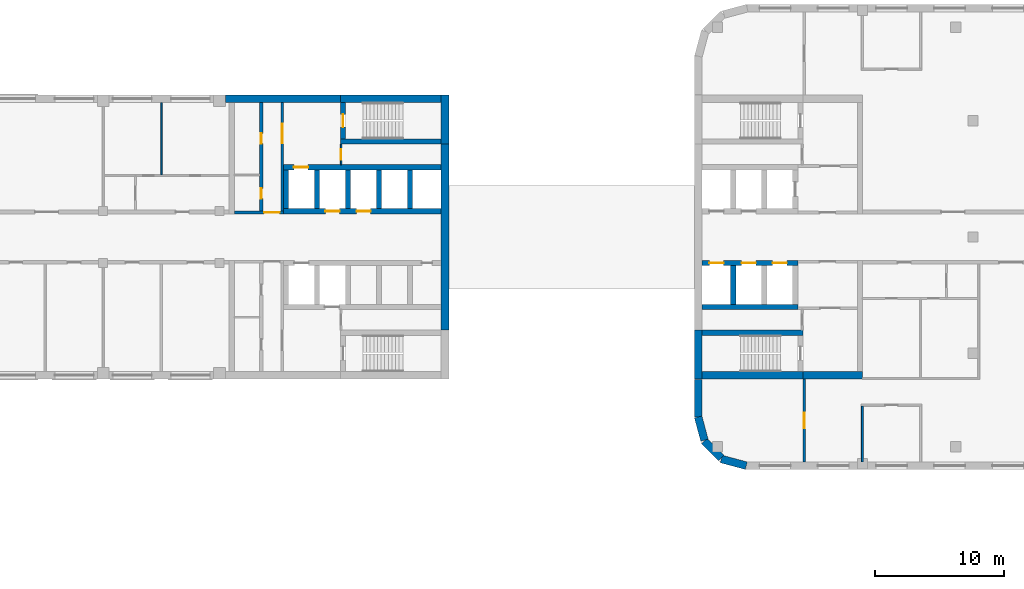
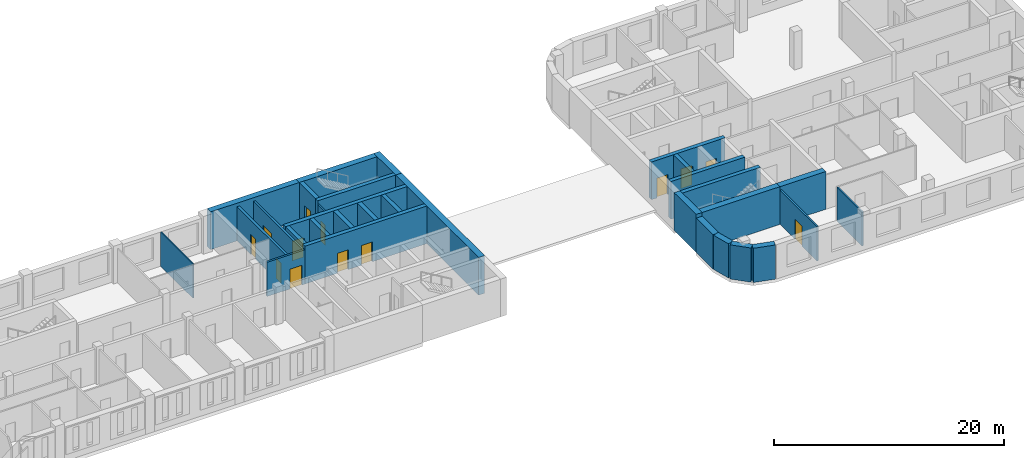
# One storey, part 6 of 12: 31 walls, 13 doors, 13 openings.
"""IFC4 building model written with IfcOpenShell, lengths in metres."""

from ifc_helpers import new_model, si_unit, direction, frame, frame_2d, origin, place, context, subcontext, project, spatial, rectangle, extrude, material, layer, layer_set, type_object, element, fill, save


model = new_model("IFC4")

# Units and contexts
model_context = context("Model", 3, precision=1e-05, world=origin(), true_north=direction((0.0, 1.0)))
body_context = subcontext(model_context, "Body", "Model", "MODEL_VIEW")
ifc_project = project(units=[si_unit("LENGTHUNIT", "METRE"), si_unit("AREAUNIT", "SQUARE_METRE"), si_unit("VOLUMEUNIT", "CUBIC_METRE"), si_unit("PLANEANGLEUNIT", "RADIAN"), si_unit("MASSUNIT", "GRAM", prefix="KILO")], contexts=[model_context])

# Site, building, storey
site_placement = place(None, origin())
site = spatial("IfcSite", under=ifc_project, at=site_placement, CompositionType="ELEMENT")
building_placement = place(site_placement, origin())
building = spatial("IfcBuilding", under=site, at=building_placement, Name="Skarvind Civic Tower", CompositionType="ELEMENT")
storey_placement = place(building_placement, frame((0.0, 0.0, 35.5)))
storey = spatial("IfcBuildingStorey", under=building, at=storey_placement, Name="L07", CompositionType="ELEMENT", Elevation=35.5)

# Wall, opening, door
ifc_material_1 = material(Name="Acoustic gypsum board on steel studs", Category="steel")
ifc_layer_1 = layer(ifc_material_1, 0.175048828125)
ifc_layer_set_1 = layer_set([ifc_layer_1], Name="ACOUSTIC MEETING-ROOM PARTITION 175")
wall_type_1 = type_object("IfcWallType", Name="ACOUSTIC MEETING-ROOM PARTITION 175", PredefinedType="PARTITIONING", material=ifc_layer_set_1)
wall_1_placement = place(storey_placement, frame((135.5, 117.0, 0.0), z_axis=(0.0, 0.0, 1.0), x_axis=(0.0, -1.0, 0.0)))
wall_1 = element("IfcWall", 1, at=wall_1_placement, inside=storey, type_object=wall_type_1, Name="Partition 07.001", PredefinedType="PARTITIONING", context=body_context, shape_type="SweptSolid", body=[
    extrude(rectangle(XDim=6.39990234375, YDim=0.175048828125, at=frame_2d((3.199951171875, 0.0))), origin(), (0.0, 0.0, 1.0), 3.625),
])
opening_1_placement = place(wall_1_placement, frame((2.60009765625, 0.0, 0.0)))
opening_1 = element("IfcOpeningElement", 2, at=opening_1_placement, cuts=wall_1, Name="Opening L07-D111", PredefinedType="OPENING", context=body_context, shape_type="SweptSolid", body=[
    extrude(rectangle(XDim=1.199951171875, YDim=2.10009765625, at=frame_2d((0.60009765625, 1.050048828125))), frame((0.0, 0.097412109375, 0.0), z_axis=(0.0, -1.0, 0.0), x_axis=(1.0, 0.0, 0.0)), (0.0, 0.0, 1.0), 0.195068359375),
])
ifc_material_2 = material(Name="Timber door leaf", Category="wood")
door_type_1 = type_object("IfcDoorType", Name="DOOR 1200X2100 DOUBLE TIMBER", OperationType="NOTDEFINED", PredefinedType="DOOR", material=ifc_material_2)
door_1_placement = place(opening_1_placement, origin())
door_1 = element("IfcDoor", 3, at=door_1_placement, inside=storey, type_object=door_type_1, Name="Door L07-D111", OperationType="DOUBLE_DOOR_SINGLE_SWING", OverallHeight=2.10009765625, OverallWidth=1.199951171875, PredefinedType="DOOR", context=body_context, shape_type="SweptSolid", body=[
    extrude(rectangle(XDim=1.199951171875, YDim=2.10009765625, at=frame_2d((0.60009765625, 1.050048828125))), frame((0.0, 0.02490234375, 0.0), z_axis=(0.0, -1.0, 0.0), x_axis=(1.0, 0.0, 0.0)), (0.0, 0.0, 1.0), 0.050048828125),
])
fill(opening_1, door_1)

ifc_material_3 = material(Name="Fire-rated masonry partition", Category="masonry")
ifc_layer_2 = layer(ifc_material_3, 0.199951171875)
ifc_layer_set_2 = layer_set([ifc_layer_2], Name="Core enclosure wall 200")
wall_type_2 = type_object("IfcWallType", Name="Core enclosure wall 200", PredefinedType="PARTITIONING", material=ifc_layer_set_2)
wall_2_placement = place(storey_placement, frame((91.39990234375, 129.89990234375, 0.0), z_axis=(0.0, 0.0, 1.0), x_axis=(1.0, 0.0, 0.0)))
wall_2 = element("IfcWall", 4, at=wall_2_placement, inside=storey, type_object=wall_type_2, Name="Core wall C1", PredefinedType="PARTITIONING", context=body_context, shape_type="SweptSolid", body=[
    extrude(rectangle(XDim=3.800048828125, YDim=0.199951171875, at=frame_2d((1.89990234375, 0.0))), origin(), (0.0, 0.0, 1.0), 3.625),
])
opening_2_placement = place(wall_2_placement, frame((2.300048828125, 0.0, 0.0)))
opening_2 = element("IfcOpeningElement", 5, at=opening_2_placement, cuts=wall_2, Name="Opening D-L07-C1-11", PredefinedType="OPENING", context=body_context, shape_type="SweptSolid", body=[
    extrude(rectangle(XDim=1.199951171875, YDim=2.10009765625, at=frame_2d((0.60009765625, 1.050048828125))), frame((0.0, 0.10986328125, 0.0), z_axis=(0.0, -1.0, 0.0), x_axis=(1.0, 0.0, 0.0)), (0.0, 0.0, 1.0), 0.219970703125),
])
ifc_material_4 = material(Name="Fire-rated steel door", Category="steel")
door_type_2 = type_object("IfcDoorType", Name="Core lobby door 1200", OperationType="NOTDEFINED", PredefinedType="DOOR", material=ifc_material_4)
door_2_placement = place(opening_2_placement, origin())
door_2 = element("IfcDoor", 6, at=door_2_placement, inside=storey, type_object=door_type_2, Name="Fire door", OperationType="DOUBLE_DOOR_SINGLE_SWING", OverallHeight=2.10009765625, OverallWidth=1.199951171875, PredefinedType="DOOR", context=body_context, shape_type="SweptSolid", body=[
    extrude(rectangle(XDim=1.199951171875, YDim=2.10009765625, at=frame_2d((0.60009765625, 1.050048828125))), frame((0.0, 0.02490234375, 0.0), z_axis=(0.0, -1.0, 0.0), x_axis=(1.0, 0.0, 0.0)), (0.0, 0.0, 1.0), 0.050048828125),
])
fill(opening_2, door_2)

wall_3_placement = place(storey_placement, frame((95.10009765625, 130.0, 0.0), z_axis=(0.0, 0.0, 1.0), x_axis=(0.0, 1.0, 0.0)))
wall_3 = element("IfcWall", 7, at=wall_3_placement, inside=storey, type_object=wall_type_2, Name="Core wall C1", PredefinedType="PARTITIONING", context=body_context, shape_type="SweptSolid", body=[
    extrude(rectangle(XDim=8.39990234375, YDim=0.199951171875, at=frame_2d((4.199951171875, 0.0))), origin(), (0.0, 0.0, 1.0), 3.625),
])
opening_3_placement = place(wall_3_placement, frame((5.25, 0.0, 0.0)))
opening_3 = element("IfcOpeningElement", 8, at=opening_3_placement, cuts=wall_3, Name="Opening D-L07-C1-12", PredefinedType="OPENING", context=body_context, shape_type="SweptSolid", body=[
    extrude(rectangle(XDim=1.5, YDim=2.10009765625, at=frame_2d((0.75, 1.050048828125))), frame((0.0, 0.10986328125, 0.0), z_axis=(0.0, -1.0, 0.0), x_axis=(1.0, 0.0, 0.0)), (0.0, 0.0, 1.0), 0.219970703125),
])
door_type_3 = type_object("IfcDoorType", Name="Fire door 1500", OperationType="NOTDEFINED", PredefinedType="DOOR", material=ifc_material_4)
door_3_placement = place(opening_3_placement, origin())
door_3 = element("IfcDoor", 9, at=door_3_placement, inside=storey, type_object=door_type_3, Name="Fire door", OperationType="DOUBLE_DOOR_SINGLE_SWING", OverallHeight=2.10009765625, OverallWidth=1.5, PredefinedType="DOOR", context=body_context, shape_type="SweptSolid", body=[
    extrude(rectangle(XDim=1.5, YDim=2.10009765625, at=frame_2d((0.75, 1.050048828125))), frame((0.0, 0.02490234375, 0.0), z_axis=(0.0, -1.0, 0.0), x_axis=(1.0, 0.0, 0.0)), (0.0, 0.0, 1.0), 0.050048828125),
])
fill(opening_3, door_3)

# Wall
ifc_material_5 = material(Name="Concrete C80", Category="concrete")
ifc_layer_3 = layer(ifc_material_5, 0.39990234375)
ifc_layer_set_3 = layer_set([ifc_layer_3], Name="Core wall 400 C80")
wall_type_3 = type_object("IfcWallType", Name="Core wall 400 C80", PredefinedType="SHEAR", material=ifc_layer_set_3)
wall_4_placement = place(storey_placement, frame((107.39990234375, 135.39990234375, 0.0), z_axis=(0.0, 0.0, 1.0), x_axis=(-1.0, 0.0, 0.0)))
element("IfcWall", 10, at=wall_4_placement, inside=storey, type_object=wall_type_3, Name="Core wall C1 south stair inner L07", PredefinedType="SHEAR", context=body_context, shape_type="SweptSolid", body=[
    extrude(rectangle(XDim=7.7998046875, YDim=0.39990234375, at=frame_2d((3.89990234375, 0.0))), origin(), (0.0, 0.0, 1.0), 4.0),
])

# Wall, opening, door
wall_5_placement = place(storey_placement, frame((99.800048828125, 138.39990234375, 0.0), z_axis=(0.0, 0.0, 1.0), x_axis=(0.0, -1.0, 0.0)))
wall_5 = element("IfcWall", 11, at=wall_5_placement, inside=storey, type_object=wall_type_3, Name="Core wall C1 south stair end L07", PredefinedType="SHEAR", context=body_context, shape_type="SweptSolid", body=[
    extrude(rectangle(XDim=2.7998046875, YDim=0.39990234375, at=frame_2d((1.39990234375, 0.0))), origin(), (0.0, 0.0, 1.0), 4.0),
])
opening_4_placement = place(wall_5_placement, frame((0.89990234375, 0.0, 0.0)))
opening_4 = element("IfcOpeningElement", 12, at=opening_4_placement, cuts=wall_5, Name="Opening D-L07-C1-13", PredefinedType="OPENING", context=body_context, shape_type="SweptSolid", body=[
    extrude(rectangle(XDim=1.0, YDim=2.10009765625, at=frame_2d((0.5, 1.050048828125))), frame((0.0, 0.2099609375, 0.0), z_axis=(0.0, -1.0, 0.0), x_axis=(1.0, 0.0, 0.0)), (0.0, 0.0, 1.0), 0.419921875),
])
door_type_4 = type_object("IfcDoorType", Name="Fire door 1000", OperationType="NOTDEFINED", PredefinedType="DOOR", material=ifc_material_4)
door_4_placement = place(opening_4_placement, origin())
door_4 = element("IfcDoor", 13, at=door_4_placement, inside=storey, type_object=door_type_4, Name="Fire door", OperationType="SINGLE_SWING_RIGHT", OverallHeight=2.10009765625, OverallWidth=1.0, PredefinedType="DOOR", context=body_context, shape_type="SweptSolid", body=[
    extrude(rectangle(XDim=1.0, YDim=2.10009765625, at=frame_2d((0.5, 1.050048828125))), frame((0.0, 0.02490234375, 0.0), z_axis=(0.0, -1.0, 0.0), x_axis=(1.0, 0.0, 0.0)), (0.0, 0.0, 1.0), 0.050048828125),
])
fill(opening_4, door_4)

# Wall, openings, doors
wall_6_placement = place(storey_placement, frame((107.39990234375, 130.0, 0.0), z_axis=(0.0, 0.0, 1.0), x_axis=(-1.0, 0.0, 0.0)))
wall_6 = element("IfcWall", 14, at=wall_6_placement, inside=storey, type_object=wall_type_3, Name="Core wall C1 south lift row front L07", PredefinedType="SHEAR", context=body_context, shape_type="SweptSolid", body=[
    extrude(rectangle(XDim=12.199951171875, YDim=0.39990234375, at=frame_2d((6.10009765625, 0.0))), origin(), (0.0, 0.0, 1.0), 4.0),
])
opening_5_placement = place(wall_6_placement, frame((5.449951171875, 0.0, 0.0)))
opening_5 = element("IfcOpeningElement", 15, at=opening_5_placement, cuts=wall_6, Name="Opening LD09108", PredefinedType="OPENING", context=body_context, shape_type="SweptSolid", body=[
    extrude(rectangle(XDim=1.10009765625, YDim=2.10009765625, at=frame_2d((0.550048828125, 1.050048828125))), frame((0.0, 0.2099609375, 0.0), z_axis=(0.0, -1.0, 0.0), x_axis=(1.0, 0.0, 0.0)), (0.0, 0.0, 1.0), 0.419921875),
])
opening_6_placement = place(wall_6_placement, frame((7.85009765625, 0.0, 0.0)))
opening_6 = element("IfcOpeningElement", 16, at=opening_6_placement, cuts=wall_6, Name="Opening LD09109", PredefinedType="OPENING", context=body_context, shape_type="SweptSolid", body=[
    extrude(rectangle(XDim=1.10009765625, YDim=2.10009765625, at=frame_2d((0.550048828125, 1.050048828125))), frame((0.0, 0.2099609375, 0.0), z_axis=(0.0, -1.0, 0.0), x_axis=(1.0, 0.0, 0.0)), (0.0, 0.0, 1.0), 0.419921875),
])
ifc_material_6 = material(Name="Stainless steel landing door", Category="steel")
door_type_5 = type_object("IfcDoorType", Name="Lift landing door 1100", OperationType="DOUBLE_DOOR_SLIDING", PredefinedType="DOOR", material=ifc_material_6)
door_5_placement = place(opening_5_placement, origin())
door_5 = element("IfcDoor", 17, at=door_5_placement, inside=storey, type_object=door_type_5, Name="Lift landing door", OperationType="DOUBLE_DOOR_SLIDING", OverallHeight=2.10009765625, OverallWidth=1.10009765625, PredefinedType="DOOR", context=body_context, shape_type="SweptSolid", body=[
    extrude(rectangle(XDim=1.10009765625, YDim=2.10009765625, at=frame_2d((0.550048828125, 1.050048828125))), frame((0.0, 0.02490234375, 0.0), z_axis=(0.0, -1.0, 0.0), x_axis=(1.0, 0.0, 0.0)), (0.0, 0.0, 1.0), 0.050048828125),
])
fill(opening_5, door_5)
door_6_placement = place(opening_6_placement, origin())
door_6 = element("IfcDoor", 18, at=door_6_placement, inside=storey, type_object=door_type_5, Name="Lift landing door", OperationType="DOUBLE_DOOR_SLIDING", OverallHeight=2.10009765625, OverallWidth=1.10009765625, PredefinedType="DOOR", context=body_context, shape_type="SweptSolid", body=[
    extrude(rectangle(XDim=1.10009765625, YDim=2.10009765625, at=frame_2d((0.550048828125, 1.050048828125))), frame((0.0, 0.02490234375, 0.0), z_axis=(0.0, -1.0, 0.0), x_axis=(1.0, 0.0, 0.0)), (0.0, 0.0, 1.0), 0.050048828125),
])
fill(opening_6, door_6)

# Wall, opening, door
wall_7_placement = place(storey_placement, frame((107.39990234375, 133.39990234375, 0.0), z_axis=(0.0, 0.0, 1.0), x_axis=(-1.0, 0.0, 0.0)))
wall_7 = element("IfcWall", 19, at=wall_7_placement, inside=storey, type_object=wall_type_3, Name="Core wall C1 south lift row back L07", PredefinedType="SHEAR", context=body_context, shape_type="SweptSolid", body=[
    extrude(rectangle(XDim=12.199951171875, YDim=0.39990234375, at=frame_2d((6.10009765625, 0.0))), origin(), (0.0, 0.0, 1.0), 4.0),
])
opening_7_placement = place(wall_7_placement, frame((10.300048828125, 0.0, 0.0)))
opening_7 = element("IfcOpeningElement", 20, at=opening_7_placement, cuts=wall_7, Name="Opening LD09110", PredefinedType="OPENING", context=body_context, shape_type="SweptSolid", body=[
    extrude(rectangle(XDim=1.10009765625, YDim=2.10009765625, at=frame_2d((0.550048828125, 1.050048828125))), frame((0.0, 0.2099609375, 0.0), z_axis=(0.0, -1.0, 0.0), x_axis=(1.0, 0.0, 0.0)), (0.0, 0.0, 1.0), 0.419921875),
])
door_7_placement = place(opening_7_placement, origin())
door_7 = element("IfcDoor", 21, at=door_7_placement, inside=storey, type_object=door_type_5, Name="Lift landing door", OperationType="DOUBLE_DOOR_SLIDING", OverallHeight=2.10009765625, OverallWidth=1.10009765625, PredefinedType="DOOR", context=body_context, shape_type="SweptSolid", body=[
    extrude(rectangle(XDim=1.10009765625, YDim=2.10009765625, at=frame_2d((0.550048828125, 1.050048828125))), frame((0.0, 0.02490234375, 0.0), z_axis=(0.0, -1.0, 0.0), x_axis=(1.0, 0.0, 0.0)), (0.0, 0.0, 1.0), 0.050048828125),
])
fill(opening_7, door_7)

# Walls
for number, where, z_axis, x_axis, name in (
    (22, (105.0, 133.199951171875, 0.0), (0.0, 0.0, 1.0), (0.0, -1.0, 0.0), "Core wall C1 south lift row division 1 L07"),
    (23, (102.60009765625, 133.199951171875, 0.0), (0.0, 0.0, 1.0), (0.0, -1.0, 0.0), "Core wall C1 south lift row division 2 L07"),
    (24, (100.199951171875, 133.199951171875, 0.0), (0.0, 0.0, 1.0), (0.0, -1.0, 0.0), "Core wall C1 south lift row division 3 L07"),
    (25, (97.800048828125, 133.199951171875, 0.0), (0.0, 0.0, 1.0), (0.0, -1.0, 0.0), "Core wall C1 south lift row division 4 L07"),
    (26, (95.39990234375, 133.199951171875, 0.0), (0.0, 0.0, 1.0), (0.0, -1.0, 0.0), "Core wall C1 south lift row division 5 L07"),
):
    element("IfcWall", number, at=place(storey_placement, frame(where, z_axis=z_axis, x_axis=x_axis)), inside=storey, type_object=wall_type_3, Name=name, PredefinedType="SHEAR", context=body_context, shape_type="SweptSolid", body=[
        extrude(rectangle(XDim=3.0, YDim=0.39990234375, at=frame_2d((1.5, 0.0))), origin(), (0.0, 0.0, 1.0), 4.0),
    ])
wall_8_placement = place(storey_placement, frame((127.60009765625, 120.60009765625, 0.0), z_axis=(0.0, 0.0, 1.0), x_axis=(1.0, 0.0, 0.0)))
element("IfcWall", 27, at=wall_8_placement, inside=storey, type_object=wall_type_3, Name="Core wall CA south stair inner L07", PredefinedType="SHEAR", context=body_context, shape_type="SweptSolid", body=[
    extrude(rectangle(XDim=7.7998046875, YDim=0.39990234375, at=frame_2d((3.89990234375, 0.0))), origin(), (0.0, 0.0, 1.0), 4.0),
])

# Wall, openings, doors
wall_9_placement = place(storey_placement, frame((127.60009765625, 126.0, 0.0), z_axis=(0.0, 0.0, 1.0), x_axis=(1.0, 0.0, 0.0)))
wall_9 = element("IfcWall", 28, at=wall_9_placement, inside=storey, type_object=wall_type_3, Name="Core wall CA south lift row front L07", PredefinedType="SHEAR", context=body_context, shape_type="SweptSolid", body=[
    extrude(rectangle(XDim=7.39990234375, YDim=0.39990234375, at=frame_2d((3.699951171875, 0.0))), origin(), (0.0, 0.0, 1.0), 4.0),
])
opening_8_placement = place(wall_9_placement, frame((0.550048828125, 0.0, 0.0)))
opening_8 = element("IfcOpeningElement", 29, at=opening_8_placement, cuts=wall_9, Name="Opening LD09304", PredefinedType="OPENING", context=body_context, shape_type="SweptSolid", body=[
    extrude(rectangle(XDim=1.10009765625, YDim=2.10009765625, at=frame_2d((0.550048828125, 1.050048828125))), frame((0.0, 0.2099609375, 0.0), z_axis=(0.0, -1.0, 0.0), x_axis=(1.0, 0.0, 0.0)), (0.0, 0.0, 1.0), 0.419921875),
])
opening_9_placement = place(wall_9_placement, frame((3.050048828125, 0.0, 0.0)))
opening_9 = element("IfcOpeningElement", 30, at=opening_9_placement, cuts=wall_9, Name="Opening LD09305", PredefinedType="OPENING", context=body_context, shape_type="SweptSolid", body=[
    extrude(rectangle(XDim=1.10009765625, YDim=2.10009765625, at=frame_2d((0.550048828125, 1.050048828125))), frame((0.0, 0.2099609375, 0.0), z_axis=(0.0, -1.0, 0.0), x_axis=(1.0, 0.0, 0.0)), (0.0, 0.0, 1.0), 0.419921875),
])
opening_10_placement = place(wall_9_placement, frame((5.449951171875, 0.0, 0.0)))
opening_10 = element("IfcOpeningElement", 31, at=opening_10_placement, cuts=wall_9, Name="Opening LD09306", PredefinedType="OPENING", context=body_context, shape_type="SweptSolid", body=[
    extrude(rectangle(XDim=1.10009765625, YDim=2.10009765625, at=frame_2d((0.550048828125, 1.050048828125))), frame((0.0, 0.2099609375, 0.0), z_axis=(0.0, -1.0, 0.0), x_axis=(1.0, 0.0, 0.0)), (0.0, 0.0, 1.0), 0.419921875),
])
door_8_placement = place(opening_8_placement, origin())
door_8 = element("IfcDoor", 32, at=door_8_placement, inside=storey, type_object=door_type_5, Name="Lift landing door", OperationType="DOUBLE_DOOR_SLIDING", OverallHeight=2.10009765625, OverallWidth=1.10009765625, PredefinedType="DOOR", context=body_context, shape_type="SweptSolid", body=[
    extrude(rectangle(XDim=1.10009765625, YDim=2.10009765625, at=frame_2d((0.550048828125, 1.050048828125))), frame((0.0, 0.02490234375, 0.0), z_axis=(0.0, -1.0, 0.0), x_axis=(1.0, 0.0, 0.0)), (0.0, 0.0, 1.0), 0.050048828125),
])
fill(opening_8, door_8)
door_9_placement = place(opening_9_placement, origin())
door_9 = element("IfcDoor", 33, at=door_9_placement, inside=storey, type_object=door_type_5, Name="Lift landing door", OperationType="DOUBLE_DOOR_SLIDING", OverallHeight=2.10009765625, OverallWidth=1.10009765625, PredefinedType="DOOR", context=body_context, shape_type="SweptSolid", body=[
    extrude(rectangle(XDim=1.10009765625, YDim=2.10009765625, at=frame_2d((0.550048828125, 1.050048828125))), frame((0.0, 0.02490234375, 0.0), z_axis=(0.0, -1.0, 0.0), x_axis=(1.0, 0.0, 0.0)), (0.0, 0.0, 1.0), 0.050048828125),
])
fill(opening_9, door_9)
door_10_placement = place(opening_10_placement, origin())
door_10 = element("IfcDoor", 34, at=door_10_placement, inside=storey, type_object=door_type_5, Name="Lift landing door", OperationType="DOUBLE_DOOR_SLIDING", OverallHeight=2.10009765625, OverallWidth=1.10009765625, PredefinedType="DOOR", context=body_context, shape_type="SweptSolid", body=[
    extrude(rectangle(XDim=1.10009765625, YDim=2.10009765625, at=frame_2d((0.550048828125, 1.050048828125))), frame((0.0, 0.02490234375, 0.0), z_axis=(0.0, -1.0, 0.0), x_axis=(1.0, 0.0, 0.0)), (0.0, 0.0, 1.0), 0.050048828125),
])
fill(opening_10, door_10)

# Walls
wall_10_placement = place(storey_placement, frame((127.60009765625, 122.60009765625, 0.0), z_axis=(0.0, 0.0, 1.0), x_axis=(1.0, 0.0, 0.0)))
element("IfcWall", 35, at=wall_10_placement, inside=storey, type_object=wall_type_3, Name="Core wall CA south lift row back L07", PredefinedType="SHEAR", context=body_context, shape_type="SweptSolid", body=[
    extrude(rectangle(XDim=7.39990234375, YDim=0.39990234375, at=frame_2d((3.699951171875, 0.0))), origin(), (0.0, 0.0, 1.0), 4.0),
])
wall_11_placement = place(storey_placement, frame((130.0, 122.800048828125, 0.0), z_axis=(0.0, 0.0, 1.0), x_axis=(0.0, 1.0, 0.0)))
element("IfcWall", 36, at=wall_11_placement, inside=storey, type_object=wall_type_3, Name="Core wall CA south lift row division 1 L07", PredefinedType="SHEAR", context=body_context, shape_type="SweptSolid", body=[
    extrude(rectangle(XDim=3.0, YDim=0.39990234375, at=frame_2d((1.5, 0.0))), origin(), (0.0, 0.0, 1.0), 4.0),
])
ifc_layer_4 = layer(ifc_material_5, 0.60009765625)
ifc_layer_set_4 = layer_set([ifc_layer_4], Name="Core wall 600 C80")
wall_type_4 = type_object("IfcWallType", Name="Core wall 600 C80", PredefinedType="SHEAR", material=ifc_layer_set_4)
wall_12_placement = place(storey_placement, frame((107.699951171875, 139.0, 0.0), z_axis=(0.0, 0.0, 1.0), x_axis=(0.0, -1.0, 0.0)))
element("IfcWall", 37, at=wall_12_placement, inside=storey, type_object=wall_type_4, Name="Core wall C1 tip at the south stair L07", PredefinedType="SHEAR", context=body_context, shape_type="SweptSolid", body=[
    extrude(rectangle(XDim=3.800048828125, YDim=0.60009765625, at=frame_2d((1.89990234375, 0.0))), origin(), (0.0, 0.0, 1.0), 4.0),
])
wall_13_placement = place(storey_placement, frame((107.699951171875, 135.199951171875, 0.0), z_axis=(0.0, 0.0, 1.0), x_axis=(0.0, -1.0, 0.0)))
element("IfcWall", 38, at=wall_13_placement, inside=storey, type_object=wall_type_4, Name="Core wall C1 tip between the stairs L07", PredefinedType="SHEAR", context=body_context, shape_type="SweptSolid", body=[
    extrude(rectangle(XDim=14.39990234375, YDim=0.60009765625, at=frame_2d((7.199951171875, 0.0))), origin(), (0.0, 0.0, 1.0), 4.0),
])
wall_14_placement = place(storey_placement, frame((107.39990234375, 138.699951171875, 0.0), z_axis=(0.0, 0.0, 1.0), x_axis=(-1.0, 0.0, 0.0)))
element("IfcWall", 39, at=wall_14_placement, inside=storey, type_object=wall_type_4, Name="Core wall C1 south side at the stair L07", PredefinedType="SHEAR", context=body_context, shape_type="SweptSolid", body=[
    extrude(rectangle(XDim=7.7998046875, YDim=0.60009765625, at=frame_2d((3.89990234375, 0.0))), origin(), (0.0, 0.0, 1.0), 4.0),
])
wall_15_placement = place(storey_placement, frame((99.60009765625, 138.699951171875, 0.0), z_axis=(0.0, 0.0, 1.0), x_axis=(-1.0, 0.0, 0.0)))
element("IfcWall", 40, at=wall_15_placement, inside=storey, type_object=wall_type_4, Name="Core wall C1 south side L07", PredefinedType="SHEAR", context=body_context, shape_type="SweptSolid", body=[
    extrude(rectangle(XDim=8.900146484375, YDim=0.60009765625, at=frame_2d((4.4501953125, 0.0))), origin(), (0.0, 0.0, 1.0), 4.0),
])
wall_16_placement = place(storey_placement, frame((127.300048828125, 117.0, 0.0), z_axis=(0.0, 0.0, 1.0), x_axis=(0.0, 1.0, 0.0)))
element("IfcWall", 41, at=wall_16_placement, inside=storey, type_object=wall_type_4, Name="Core wall CA tip at the south stair L07", PredefinedType="SHEAR", context=body_context, shape_type="SweptSolid", body=[
    extrude(rectangle(XDim=3.800048828125, YDim=0.60009765625, at=frame_2d((1.89990234375, 0.0))), origin(), (0.0, 0.0, 1.0), 4.0),
])
wall_17_placement = place(storey_placement, frame((127.60009765625, 117.300048828125, 0.0), z_axis=(0.0, 0.0, 1.0), x_axis=(1.0, 0.0, 0.0)))
element("IfcWall", 42, at=wall_17_placement, inside=storey, type_object=wall_type_4, Name="Core wall CA south side at the stair L07", PredefinedType="SHEAR", context=body_context, shape_type="SweptSolid", body=[
    extrude(rectangle(XDim=7.7998046875, YDim=0.60009765625, at=frame_2d((3.89990234375, 0.0))), origin(), (0.0, 0.0, 1.0), 4.0),
])
wall_18_placement = place(storey_placement, frame((135.39990234375, 117.300048828125, 0.0), z_axis=(0.0, 0.0, 1.0), x_axis=(1.0, 0.0, 0.0)))
element("IfcWall", 43, at=wall_18_placement, inside=storey, type_object=wall_type_4, Name="Core wall CA south side L07", PredefinedType="SHEAR", context=body_context, shape_type="SweptSolid", body=[
    extrude(rectangle(XDim=4.60009765625, YDim=0.60009765625, at=frame_2d((2.300048828125, 0.0))), origin(), (0.0, 0.0, 1.0), 4.0),
])
ifc_material_7 = material(Name="Plasterboard partition on steel studs", Category="steel")
ifc_layer_5 = layer(ifc_material_7, 0.14990234375)
ifc_layer_set_5 = layer_set([ifc_layer_5], Name="PARTITION 150")
wall_type_5 = type_object("IfcWallType", Name="PARTITION 150", PredefinedType="PARTITIONING", material=ifc_layer_set_5)
wall_19_placement = place(storey_placement, frame((140.0, 110.60009765625, 0.0), z_axis=(0.0, 0.0, 1.0), x_axis=(0.0, 1.0, 0.0)))
element("IfcWall", 44, at=wall_19_placement, inside=storey, type_object=wall_type_5, Name="Partition 07.003", PredefinedType="PARTITIONING", context=body_context, shape_type="SweptSolid", body=[
    extrude(rectangle(XDim=4.324951171875, YDim=0.14990234375, at=frame_2d((2.16259765625, 0.0))), origin(), (0.0, 0.0, 1.0), 3.625),
])

# Wall, opening, door
ifc_layer_6 = layer(ifc_material_3, 0.125)
ifc_layer_set_6 = layer_set([ifc_layer_6], Name="Riser wall 125")
wall_type_6 = type_object("IfcWallType", Name="Riser wall 125", PredefinedType="PARTITIONING", material=ifc_layer_set_6)
wall_20_placement = place(storey_placement, frame((99.66259765625, 133.60009765625, 0.0), z_axis=(0.0, 0.0, 1.0), x_axis=(0.0, 1.0, 0.0)))
wall_20 = element("IfcWall", 45, at=wall_20_placement, inside=storey, type_object=wall_type_6, Name="Core wall C1", PredefinedType="PARTITIONING", context=body_context, shape_type="SweptSolid", body=[
    extrude(rectangle(XDim=1.599853515625, YDim=0.125, at=frame_2d((0.7998046875, 0.0))), origin(), (0.0, 0.0, 1.0), 3.625),
])
opening_11_placement = place(wall_20_placement, frame((0.39990234375, 0.0, 0.0)))
opening_11 = element("IfcOpeningElement", 46, at=opening_11_placement, cuts=wall_20, Name="Opening D-L07-C1-14", PredefinedType="OPENING", context=body_context, shape_type="SweptSolid", body=[
    extrude(rectangle(XDim=0.800048828125, YDim=2.10009765625, at=frame_2d((0.39990234375, 1.050048828125))), frame((0.0, 0.072509765625, 0.0), z_axis=(0.0, -1.0, 0.0), x_axis=(1.0, 0.0, 0.0)), (0.0, 0.0, 1.0), 0.14501953125),
])
door_type_6 = type_object("IfcDoorType", Name="Core riser door 800", OperationType="NOTDEFINED", PredefinedType="DOOR", material=ifc_material_4)
door_11_placement = place(opening_11_placement, origin())
door_11 = element("IfcDoor", 47, at=door_11_placement, inside=storey, type_object=door_type_6, Name="Riser door", OperationType="SINGLE_SWING_LEFT", OverallHeight=2.10009765625, OverallWidth=0.800048828125, PredefinedType="DOOR", context=body_context, shape_type="SweptSolid", body=[
    extrude(rectangle(XDim=0.800048828125, YDim=2.10009765625, at=frame_2d((0.39990234375, 1.050048828125))), frame((0.0, 0.02490234375, 0.0), z_axis=(0.0, -1.0, 0.0), x_axis=(1.0, 0.0, 0.0)), (0.0, 0.0, 1.0), 0.050048828125),
])
fill(opening_11, door_11)

# Wall, openings, doors
ifc_layer_7 = layer(ifc_material_3, 0.25)
ifc_layer_set_7 = layer_set([ifc_layer_7], Name="Service block wall 250")
wall_type_7 = type_object("IfcWallType", Name="Service block wall 250", PredefinedType="PARTITIONING", material=ifc_layer_set_7)
wall_21_placement = place(storey_placement, frame((93.47509765625, 130.0, 0.0), z_axis=(0.0, 0.0, 1.0), x_axis=(0.0, 1.0, 0.0)))
wall_21 = element("IfcWall", 48, at=wall_21_placement, inside=storey, type_object=wall_type_7, Name="Core wall C1", PredefinedType="PARTITIONING", context=body_context, shape_type="SweptSolid", body=[
    extrude(rectangle(XDim=8.39990234375, YDim=0.25, at=frame_2d((4.199951171875, 0.0))), origin(), (0.0, 0.0, 1.0), 3.625),
])
opening_12_placement = place(wall_21_placement, frame((0.97509765625, 0.0, 0.0)))
opening_12 = element("IfcOpeningElement", 49, at=opening_12_placement, cuts=wall_21, Name="Opening D-L07-C1-15", PredefinedType="OPENING", context=body_context, shape_type="SweptSolid", body=[
    extrude(rectangle(XDim=0.800048828125, YDim=2.10009765625, at=frame_2d((0.39990234375, 1.050048828125))), frame((0.0, 0.135009765625, 0.0), z_axis=(0.0, -1.0, 0.0), x_axis=(1.0, 0.0, 0.0)), (0.0, 0.0, 1.0), 0.27001953125),
])
opening_13_placement = place(wall_21_placement, frame((5.22509765625, 0.0, 0.0)))
opening_13 = element("IfcOpeningElement", 50, at=opening_13_placement, cuts=wall_21, Name="Opening D-L07-C1-16", PredefinedType="OPENING", context=body_context, shape_type="SweptSolid", body=[
    extrude(rectangle(XDim=0.800048828125, YDim=2.10009765625, at=frame_2d((0.39990234375, 1.050048828125))), frame((0.0, 0.135009765625, 0.0), z_axis=(0.0, -1.0, 0.0), x_axis=(1.0, 0.0, 0.0)), (0.0, 0.0, 1.0), 0.27001953125),
])
door_12_placement = place(opening_12_placement, origin())
door_12 = element("IfcDoor", 51, at=door_12_placement, inside=storey, type_object=door_type_6, Name="Riser door", OperationType="SINGLE_SWING_RIGHT", OverallHeight=2.10009765625, OverallWidth=0.800048828125, PredefinedType="DOOR", context=body_context, shape_type="SweptSolid", body=[
    extrude(rectangle(XDim=0.800048828125, YDim=2.10009765625, at=frame_2d((0.39990234375, 1.050048828125))), frame((0.0, 0.02490234375, 0.0), z_axis=(0.0, -1.0, 0.0), x_axis=(1.0, 0.0, 0.0)), (0.0, 0.0, 1.0), 0.050048828125),
])
fill(opening_12, door_12)
door_13_placement = place(opening_13_placement, origin())
door_13 = element("IfcDoor", 52, at=door_13_placement, inside=storey, type_object=door_type_6, Name="Riser door", OperationType="SINGLE_SWING_LEFT", OverallHeight=2.10009765625, OverallWidth=0.800048828125, PredefinedType="DOOR", context=body_context, shape_type="SweptSolid", body=[
    extrude(rectangle(XDim=0.800048828125, YDim=2.10009765625, at=frame_2d((0.39990234375, 1.050048828125))), frame((0.0, 0.02490234375, 0.0), z_axis=(0.0, -1.0, 0.0), x_axis=(1.0, 0.0, 0.0)), (0.0, 0.0, 1.0), 0.050048828125),
])
fill(opening_13, door_13)

# Walls
ifc_material_8 = material(Name="Moisture-resistant gypsum board on steel studs", Category="steel")
ifc_layer_8 = layer(ifc_material_8, 0.125)
ifc_layer_set_8 = layer_set([ifc_layer_8], Name="WC PARTITION 125")
wall_type_8 = type_object("IfcWallType", Name="WC PARTITION 125", PredefinedType="PARTITIONING", material=ifc_layer_set_8)
wall_22_placement = place(storey_placement, frame((85.75, 138.39990234375, 0.0), z_axis=(0.0, 0.0, 1.0), x_axis=(0.0, -1.0, 0.0)))
element("IfcWall", 53, at=wall_22_placement, inside=storey, type_object=wall_type_8, Name="Partition 07.030", PredefinedType="PARTITIONING", context=body_context, shape_type="SweptSolid", body=[
    extrude(rectangle(XDim=5.587890625, YDim=0.125, at=frame_2d((2.7939453125, 0.0))), origin(), (0.0, 0.0, 1.0), 3.625),
])
ifc_material_9 = material(Name="Limestone masonry cladding on insulated backing", Category="masonry")
ifc_layer_9 = layer(ifc_material_9, 0.60009765625)
ifc_layer_set_9 = layer_set([ifc_layer_9], Name="WX1 STONE FACADE WALL 600")
wall_type_9 = type_object("IfcWallType", Name="WX1 STONE FACADE WALL 600", PredefinedType="SOLIDWALL", material=ifc_layer_set_9)
wall_23_placement = place(storey_placement, frame((127.300048828125, 114.070068359375, 0.0), z_axis=(0.0, 0.0, 1.0), x_axis=(0.0, 1.0, 0.0)))
element("IfcWall", 54, at=wall_23_placement, inside=storey, type_object=wall_type_9, Name="STONE FACADE WALL", PredefinedType="SOLIDWALL", context=body_context, shape_type="SweptSolid", body=[
    extrude(rectangle(XDim=2.909912109375, YDim=0.60009765625, at=frame_2d((1.455078125, 0.0))), origin(), (0.0, 0.0, 1.0), 3.625),
])
for number, where, z_axis, x_axis, name in (
    (55, (127.771240234375, 112.280517578125, 0.0), (0.0, 0.0, 1.0), (-0.258773254036, 0.965938094805, 0.0), "STONE FACADE WALL"),
    (56, (129.063720703125, 110.896484375, 0.0), (0.0, 0.0, 1.0), (-0.707106781187, 0.707106781187, 0.0), "STONE FACADE WALL"),
):
    element("IfcWall", number, at=place(storey_placement, frame(where, z_axis=z_axis, x_axis=x_axis)), inside=storey, type_object=wall_type_9, Name=name, PredefinedType="SOLIDWALL", context=body_context, shape_type="SweptSolid", body=[
        extrude(rectangle(XDim=1.860595703125, YDim=0.60009765625, at=frame_2d((0.93017578125, 0.0))), origin(), (0.0, 0.0, 1.0), 3.625),
    ])
wall_24_placement = place(storey_placement, frame((131.010009765625, 110.307861328125, 0.0), z_axis=(0.0, 0.0, 1.0), x_axis=(-0.965920269068, 0.258839784042, 0.0)))
element("IfcWall", 57, at=wall_24_placement, inside=storey, type_object=wall_type_9, Name="STONE FACADE WALL", PredefinedType="SOLIDWALL", context=body_context, shape_type="SweptSolid", body=[
    extrude(rectangle(XDim=2.00048828125, YDim=0.60009765625, at=frame_2d((1.000244140625, 0.0))), origin(), (0.0, 0.0, 1.0), 3.625),
])

save(model, "model.ifc")
